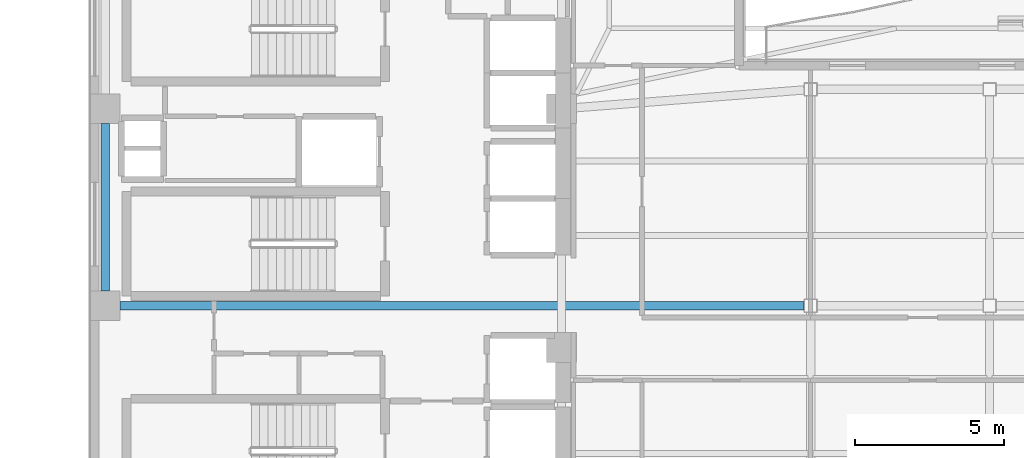
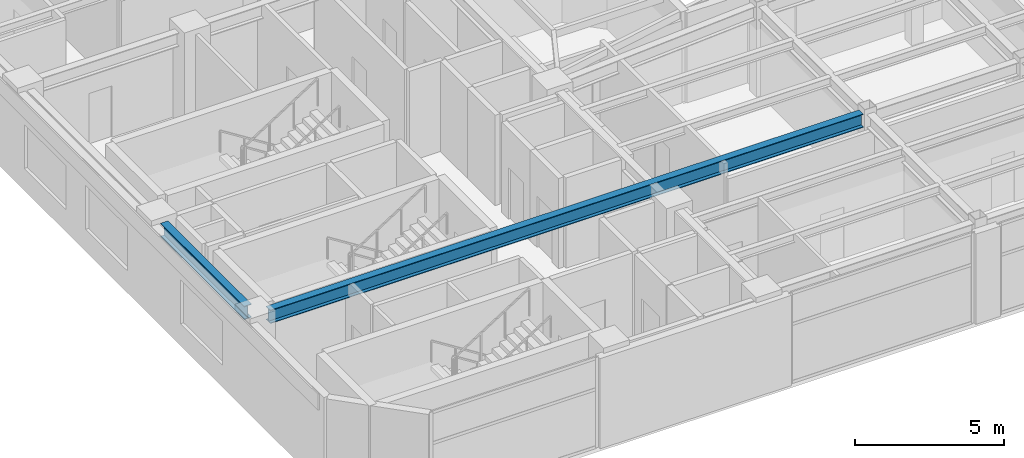
# One storey, part 3 of 16: 2 beams.
"""IFC4 building model written with IfcOpenShell, lengths in metres."""

from ifc_helpers import new_model, si_unit, direction, frame, origin, origin_2d, place, context, subcontext, project, spatial, i_section, extrude, material, material_profile, profile_set, type_object, element, save


model = new_model("IFC4")

# Units and contexts
model_context = context("Model", 3, precision=1e-05, world=origin(), true_north=direction((0.0, 1.0)))
body_context = subcontext(model_context, "Body", "Model", "MODEL_VIEW")
ifc_project = project(units=[si_unit("LENGTHUNIT", "METRE"), si_unit("AREAUNIT", "SQUARE_METRE"), si_unit("VOLUMEUNIT", "CUBIC_METRE"), si_unit("PLANEANGLEUNIT", "RADIAN"), si_unit("MASSUNIT", "GRAM", prefix="KILO")], contexts=[model_context])

# Site, building, storey
site_placement = place(None, origin())
site = spatial("IfcSite", under=ifc_project, at=site_placement, CompositionType="ELEMENT")
building_placement = place(site_placement, origin())
building = spatial("IfcBuilding", under=site, at=building_placement, Name="Mawjaban Terraces University", CompositionType="ELEMENT")
storey_placement = place(building_placement, frame((0.0, 0.0, 230.39990234375)))
storey = spatial("IfcBuildingStorey", under=building, at=storey_placement, Name="L56", CompositionType="ELEMENT", Elevation=230.39990234375)

# Beams
ifc_material = material(Name="Steel ASTM A572 Grade 50", Category="steel")
ifc_material_profile = material_profile(ifc_material, i_section(OverallWidth=0.281005859375, OverallDepth=0.551025390625, WebThickness=0.01513671875, FlangeThickness=0.02587890625, at=origin_2d()), Name="W530X182")
ifc_profile_set = profile_set([ifc_material_profile], Name="Steel ASTM A572 Grade 50")
beam_type = type_object("IfcBeamType", Name="Beam_B_W530X182", PredefinedType="BEAM", material=ifc_profile_set)
beam_1_placement = place(storey_placement, frame((22.85009765625, 7.949951171875, 3.4150390625), z_axis=(1.0, 0.0, 0.0), x_axis=(0.0, 1.0, 0.0)))
element("IfcBeam", 1, at=beam_1_placement, inside=storey, type_object=beam_type, Name="L56 Beam BM-L56-EW-04", PredefinedType="BEAM", context=body_context, shape_type="SweptSolid", body=[
    extrude(i_section(OverallWidth=0.281005859375, OverallDepth=0.551025390625, WebThickness=0.01513671875, FlangeThickness=0.02587890625, at=origin_2d()), origin(), (0.0, 0.0, 1.0), 22.9248046875),
])
beam_2_placement = place(storey_placement, frame((22.35009765625, 8.449951171875, 3.4150390625), z_axis=(0.0, 1.0, 0.0), x_axis=(-1.0, 0.0, 0.0)))
element("IfcBeam", 2, at=beam_2_placement, inside=storey, type_object=beam_type, Name="L56 Beam BM-L56-NS-01", PredefinedType="BEAM", context=body_context, shape_type="SweptSolid", body=[
    extrude(i_section(OverallWidth=0.281005859375, OverallDepth=0.551025390625, WebThickness=0.01513671875, FlangeThickness=0.02587890625, at=origin_2d()), origin(), (0.0, 0.0, 1.0), 5.60009765625),
])

save(model, "model.ifc")
